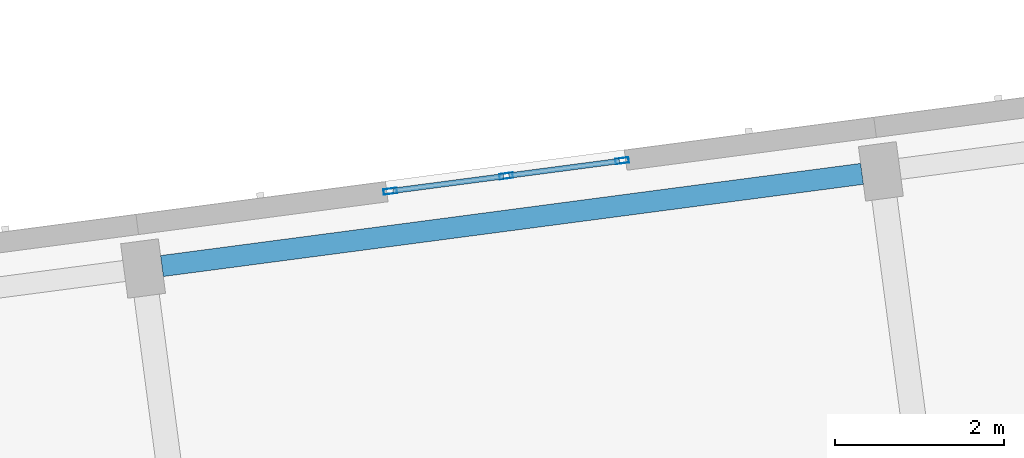
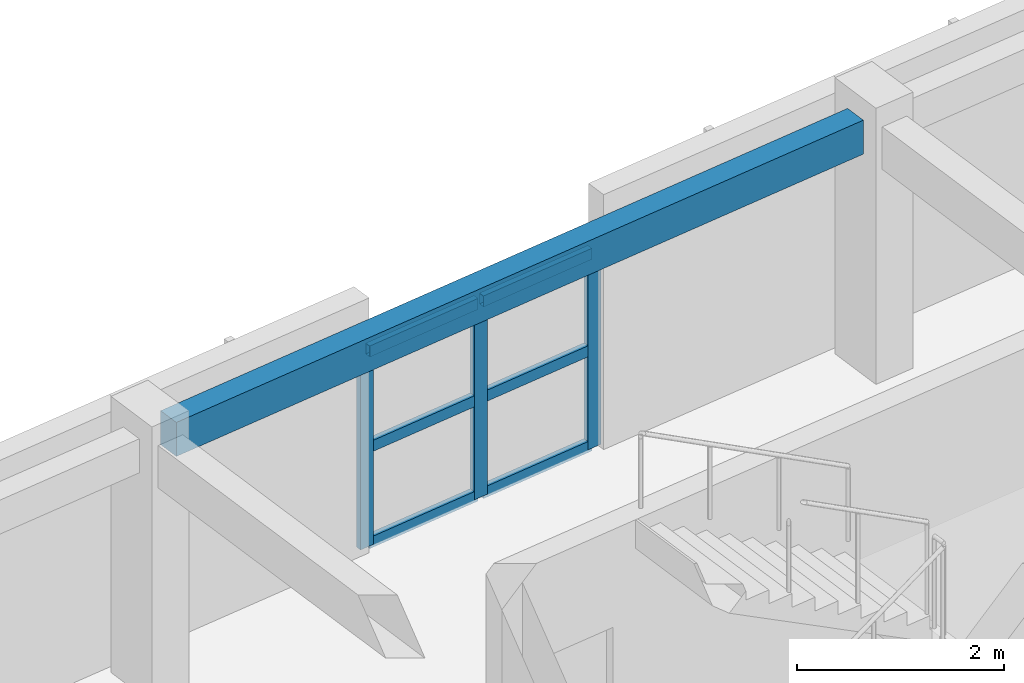
# One storey, part 2 of 16: 9 members, 1 beam, 1 element without a shape of its own.
"""IFC4 building model written with IfcOpenShell, lengths in metres."""

import ifcopenshell
import ifcopenshell.guid

model = None  # the IFC model being written
_history = None  # IfcOwnerHistory: only IFC2X3 demands one
_inside = {}  # id of a spatial element -> (the spatial element, [elements in it])
_under = {}  # id of a project, library or spatial element -> (it, [spatial elements below it])
_declared = {}  # id of a project -> (the project, [libraries it declares])
_typed = {}  # id of a type object -> (the type object, [elements of that type])
_made_of = {}  # id of a material, layer set ... -> (it, [elements and type objects made of it])


def new_model(schema):
    """Start an empty IFC model of exactly this schema.

    Asked for "IFC4X3", IfcOpenShell would pick the latest addendum, in which some entities
    have other attributes; the version numbers below select the first issue.
    IFC2X3 requires an IfcOwnerHistory on every rooted entity: one is made here for all.
    """
    global model, _history
    if schema == "IFC4X3":
        model = ifcopenshell.file(schema_version=(4, 3, 0, 0))
    else:
        model = ifcopenshell.file(schema=schema)
    _inside.clear()
    _under.clear()
    _declared.clear()
    _typed.clear()
    _made_of.clear()
    _history = None
    if model.schema == "IFC2X3":
        org = make("IfcOrganization", Name="unknown")
        user = make(
            "IfcPersonAndOrganization",
            ThePerson=make("IfcPerson", FamilyName="unknown"),
            TheOrganization=org,
        )
        app = make(
            "IfcApplication",
            ApplicationDeveloper=org,
            Version="unknown",
            ApplicationFullName="unknown",
            ApplicationIdentifier="unknown",
        )
        _history = make(
            "IfcOwnerHistory",
            OwningUser=user,
            OwningApplication=app,
            ChangeAction="ADDED",
            CreationDate=0,
        )
    return model


def make(cls, **values):
    """One entity of the class cls with the attributes given. An attribute that is None is left unset."""
    return model.create_entity(
        cls, **{name: value for name, value in values.items() if value is not None}
    )


def rooted(cls, **values):
    """An entity with a GlobalId (a new one), such as an element, a storey or a relation."""
    return make(cls, GlobalId=ifcopenshell.guid.new(), OwnerHistory=_history, **values)


def si_unit(unit_type, name, prefix=None):
    """IfcSIUnit, for example si_unit("LENGTHUNIT", "METRE", prefix="MILLI")."""
    return make("IfcSIUnit", UnitType=unit_type, Prefix=prefix, Name=name)


def assignment(units):
    """IfcUnitAssignment: the units of a project."""
    return None if units is None else make("IfcUnitAssignment", Units=units)


def point(xyz):
    """IfcCartesianPoint."""
    return None if xyz is None else make("IfcCartesianPoint", Coordinates=xyz)


def direction(xyz):
    """IfcDirection."""
    return None if xyz is None else make("IfcDirection", DirectionRatios=xyz)


def frame(location, z_axis=None, x_axis=None):
    """IfcAxis2Placement3D, a coordinate frame: its origin and axes. An axis left out is left unset."""
    return make(
        "IfcAxis2Placement3D",
        Location=point(location),
        Axis=direction(z_axis),
        RefDirection=direction(x_axis),
    )


def frame_2d(location, x_axis=None):
    """IfcAxis2Placement2D, a coordinate frame in the plane: its origin and x axis."""
    return make(
        "IfcAxis2Placement2D", Location=point(location), RefDirection=direction(x_axis)
    )


def origin():
    """The frame at (0, 0, 0) with its axes left unset."""
    return frame((0.0, 0.0, 0.0))


def origin_2d():
    """The frame at (0, 0) in the plane with its x axis left unset."""
    return frame_2d((0.0, 0.0))


def place(relative_to, where):
    """IfcLocalPlacement: puts the frame where relative to a parent placement (None: the world)."""
    return make(
        "IfcLocalPlacement", PlacementRelTo=relative_to, RelativePlacement=where
    )


def context(
    kind, dimensions, precision=None, world=None, true_north=None, identifier=None
):
    """IfcGeometricRepresentationContext, for example the 3D "Model" context."""
    return make(
        "IfcGeometricRepresentationContext",
        ContextIdentifier=identifier,
        ContextType=kind,
        CoordinateSpaceDimension=dimensions,
        Precision=precision,
        WorldCoordinateSystem=world,
        TrueNorth=true_north,
    )


def subcontext(parent, identifier, kind, view, scale=None):
    """IfcGeometricRepresentationSubContext, for example "Body" below "Model"."""
    return make(
        "IfcGeometricRepresentationSubContext",
        ContextIdentifier=identifier,
        ContextType=kind,
        ParentContext=parent,
        TargetScale=scale,
        TargetView=view,
    )


def project(units=None, contexts=None):
    """IfcProject with its units and contexts."""
    return rooted(
        "IfcProject",
        Name="project",
        RepresentationContexts=contexts,
        UnitsInContext=assignment(units),
    )


def spatial(cls, under=None, at=None, **own):
    """A site, building, storey or space (cls), placed at a placement, below another one or the project."""
    s = rooted(cls, ObjectPlacement=at, **own)
    if under is not None:
        _under.setdefault(under.id(), (under, []))[1].append(s)
    return s


def profile(cls, at=None, kind="AREA", **sizes):
    """A parametric profile (cls). Its sizes go by their IFC names, for example OverallWidth=200.0."""
    return make(cls, ProfileType=kind, Position=at, **sizes)


def rectangle(**sizes):
    """IfcRectangleProfileDef."""
    return profile("IfcRectangleProfileDef", **sizes)


def hollow_rectangle(**sizes):
    """IfcRectangleHollowProfileDef."""
    return profile("IfcRectangleHollowProfileDef", **sizes)


def extrude(swept, where, along, depth):
    """IfcExtrudedAreaSolid: the profile swept, set in the frame where, extruded along a direction by depth."""
    return make(
        "IfcExtrudedAreaSolid",
        SweptArea=swept,
        Position=where,
        ExtrudedDirection=direction(along),
        Depth=depth,
    )


def shape(context_of_items, identifier, shape_type, items):
    """IfcShapeRepresentation: the items that make up one representation, for example the "Body"."""
    return make(
        "IfcShapeRepresentation",
        ContextOfItems=context_of_items,
        RepresentationIdentifier=identifier,
        RepresentationType=shape_type,
        Items=items,
    )


def material(Name=None, Category=None):
    """IfcMaterial."""
    return make("IfcMaterial", Name=Name, Category=Category)


def material_profile(
    of_material, cross_section, Name=None, Category=None, Priority=None
):
    """IfcMaterialProfile: a cross section and its material."""
    return make(
        "IfcMaterialProfile",
        Name=Name,
        Material=of_material,
        Profile=cross_section,
        Priority=Priority,
        Category=Category,
    )


def profile_set(profiles, Name=None, composite=None):
    """IfcMaterialProfileSet."""
    return make(
        "IfcMaterialProfileSet",
        Name=Name,
        MaterialProfiles=profiles,
        CompositeProfile=composite,
    )


def made_of(thing, what):
    """Note that an element or type object is made of a material, layer set ...; save() writes the relation."""
    if what is not None:
        _made_of.setdefault(what.id(), (what, []))[1].append(thing)
    return thing


def type_object(cls, material=None, **own):
    """A type object (cls), such as IfcWallType, which elements share."""
    return made_of(rooted(cls, **own), material)


def element(
    cls,
    number,
    at=None,
    inside=None,
    cuts=None,
    type_object=None,
    material=None,
    context=None,
    identifier="Body",
    shape_type=None,
    held_by="IfcProductDefinitionShape",
    body=None,
    shapes=None,
    **own,
):
    """One element of the class cls, such as IfcWall. Its Tag is "e" and its number.

    at: its placement. inside: the storey or other place that contains it. cuts: it is an
    opening in that element (IfcRelVoidsElement). A single representation is given by context,
    identifier, shape_type and body (its items); several are given by shapes. held_by: the class
    of the entity that holds the representations. save() writes the other relations.
    """
    e = rooted(cls, Tag="e%d" % number, ObjectPlacement=at, **own)
    if body is not None:
        shapes = [shape(context, identifier, shape_type, body)]
    if shapes is not None:
        e.Representation = make(held_by, Representations=shapes)
    if inside is not None:
        _inside.setdefault(inside.id(), (inside, []))[1].append(e)
    if cuts is not None:
        rooted(
            "IfcRelVoidsElement", RelatingBuildingElement=cuts, RelatedOpeningElement=e
        )
    if type_object is not None:
        _typed.setdefault(type_object.id(), (type_object, []))[1].append(e)
    return made_of(e, material)


def aggregate(whole, parts):
    """IfcRelAggregates: a whole, such as a stair, and the parts it consists of."""
    return rooted("IfcRelAggregates", RelatingObject=whole, RelatedObjects=parts)


def save(model, path):
    """Write the relations noted so far, then the file.

    IfcRelAggregates (storeys below a building ...), IfcRelContainedInSpatialStructure (elements
    in a storey), IfcRelDefinesByType, IfcRelAssociatesMaterial and IfcRelDeclares: one each for
    every whole, place, type object, material and project.
    """
    for whole, parts in _under.values():
        aggregate(whole, parts)
    for where, things in _inside.values():
        rooted(
            "IfcRelContainedInSpatialStructure",
            RelatedElements=things,
            RelatingStructure=where,
        )
    for kind, things in _typed.values():
        rooted("IfcRelDefinesByType", RelatedObjects=things, RelatingType=kind)
    for what, things in _made_of.values():
        rooted("IfcRelAssociatesMaterial", RelatedObjects=things, RelatingMaterial=what)
    for by, libraries in _declared.values():
        rooted("IfcRelDeclares", RelatingContext=by, RelatedDefinitions=libraries)
    model.write(path)


model = new_model("IFC4")

# Units and contexts
model_context = context("Model", 3, precision=1e-05, world=origin(), true_north=direction((0.0, 1.0)))
body_context = subcontext(model_context, "Body", "Model", "MODEL_VIEW")
ifc_project = project(units=[si_unit("LENGTHUNIT", "METRE"), si_unit("AREAUNIT", "SQUARE_METRE"), si_unit("VOLUMEUNIT", "CUBIC_METRE"), si_unit("PLANEANGLEUNIT", "RADIAN"), si_unit("MASSUNIT", "GRAM", prefix="KILO")], contexts=[model_context])

# Site, building, storey
site_placement = place(None, origin())
site = spatial("IfcSite", under=ifc_project, at=site_placement, CompositionType="ELEMENT")
building_placement = place(site_placement, origin())
building = spatial("IfcBuilding", under=site, at=building_placement, Name="Kestramere Prow Commons", CompositionType="ELEMENT")
storey_placement = place(building_placement, frame((0.0, 0.0, 40.89990234375)))
storey = spatial("IfcBuildingStorey", under=building, at=storey_placement, Name="L12", CompositionType="ELEMENT", Elevation=40.89990234375)

# Curtain wall, members
ifc_material_1 = material(Name="Anodised Aluminium and Low-E Glass", Category="aluminium")
curtain_wall_type = type_object("IfcCurtainWallType", Name="CW-03 Glazed Curtain Wall 2830x2320", PredefinedType="USERDEFINED", material=ifc_material_1)
curtain_wall_placement = place(storey_placement, origin())
curtain_wall = element("IfcCurtainWall", 1, at=curtain_wall_placement, inside=storey, type_object=curtain_wall_type, Name="Block A L12 Stairwell Vertical Glazing 2", ObjectType="GLAZED CURTAIN WALL", PredefinedType="USERDEFINED")
ifc_material_2 = material(Name="Anodised Aluminium 6063-T6", Category="aluminium")
ifc_material_profile_1 = material_profile(ifc_material_2, hollow_rectangle(XDim=0.06494140625, YDim=0.159912109375, WallThickness=0.00390625, at=origin_2d()), Name="ALU-MUL 65x160")
ifc_profile_set_1 = profile_set([ifc_material_profile_1], Name="Anodised Aluminium 6063-T6")
member_type_1 = type_object("IfcMemberType", Name="CW-MUL-65x160", PredefinedType="MULLION", material=ifc_profile_set_1)
member_1_placement = place(storey_placement, frame((20.2373046875, 93.891845703125, 0.0), z_axis=(0.0, 0.0, 1.0), x_axis=(-0.13052614723, 0.991444867297, 0.0)))
member_1 = element("IfcMember", 2, at=member_1_placement, type_object=member_type_1, Name="CW-03 mullion 1", PredefinedType="MULLION", context=body_context, shape_type="SweptSolid", body=[
    extrude(hollow_rectangle(XDim=0.06494140625, YDim=0.159912109375, WallThickness=0.00390625, at=origin_2d()), origin(), (0.0, 0.0, 1.0), 2.320068359375),
])
member_2_placement = place(storey_placement, frame((21.60791015625, 94.072265625, 0.0), z_axis=(0.0, 0.0, 1.0), x_axis=(-0.13052614723, 0.991444867297, 0.0)))
member_2 = element("IfcMember", 3, at=member_2_placement, type_object=member_type_1, Name="CW-03 mullion 2", PredefinedType="MULLION", context=body_context, shape_type="SweptSolid", body=[
    extrude(hollow_rectangle(XDim=0.06494140625, YDim=0.159912109375, WallThickness=0.00390625, at=origin_2d()), origin(), (0.0, 0.0, 1.0), 2.320068359375),
])
member_3_placement = place(storey_placement, frame((22.978759765625, 94.252685546875, 0.0), z_axis=(0.0, 0.0, 1.0), x_axis=(-0.13052614723, 0.991444867297, 0.0)))
member_3 = element("IfcMember", 4, at=member_3_placement, type_object=member_type_1, Name="CW-03 mullion 3", PredefinedType="MULLION", context=body_context, shape_type="SweptSolid", body=[
    extrude(hollow_rectangle(XDim=0.06494140625, YDim=0.159912109375, WallThickness=0.00390625, at=origin_2d()), origin(), (0.0, 0.0, 1.0), 2.320068359375),
])
ifc_material_profile_2 = material_profile(ifc_material_2, hollow_rectangle(XDim=0.06494140625, YDim=0.1298828125, WallThickness=0.00390625, at=origin_2d()), Name="ALU-TRN 65x130")
ifc_profile_set_2 = profile_set([ifc_material_profile_2], Name="Anodised Aluminium 6063-T6")
member_type_2 = type_object("IfcMemberType", Name="CW-TRN-65x130", PredefinedType="USERDEFINED", material=ifc_profile_set_2)
member_4_placement = place(storey_placement, frame((20.26953125, 93.896240234375, 0.03271484375), z_axis=(0.991453033969, 0.130464100171, 0.0), x_axis=(-0.130464100171, 0.991453033969, 0.0)))
member_4 = element("IfcMember", 5, at=member_4_placement, type_object=member_type_2, Name="CW-03 transom 1.1", ObjectType="TRANSOM", PredefinedType="USERDEFINED", context=body_context, shape_type="SweptSolid", body=[
    extrude(hollow_rectangle(XDim=0.06494140625, YDim=0.1298828125, WallThickness=0.00390625, at=origin_2d()), origin(), (0.0, 0.0, 1.0), 1.3173828125),
])
member_5_placement = place(storey_placement, frame((20.26953125, 93.896240234375, 1.16015625), z_axis=(0.991453033969, 0.130464100171, 0.0), x_axis=(-0.130464100171, 0.991453033969, 0.0)))
member_5 = element("IfcMember", 6, at=member_5_placement, type_object=member_type_2, Name="CW-03 transom 1.2", ObjectType="TRANSOM", PredefinedType="USERDEFINED", context=body_context, shape_type="SweptSolid", body=[
    extrude(hollow_rectangle(XDim=0.06494140625, YDim=0.1298828125, WallThickness=0.00390625, at=origin_2d()), origin(), (0.0, 0.0, 1.0), 1.3173828125),
])
member_6_placement = place(storey_placement, frame((20.26953125, 93.896240234375, 2.28759765625), z_axis=(0.991453033969, 0.130464100171, 0.0), x_axis=(-0.130464100171, 0.991453033969, 0.0)))
member_6 = element("IfcMember", 7, at=member_6_placement, type_object=member_type_2, Name="CW-03 transom 1.3", ObjectType="TRANSOM", PredefinedType="USERDEFINED", context=body_context, shape_type="SweptSolid", body=[
    extrude(hollow_rectangle(XDim=0.06494140625, YDim=0.1298828125, WallThickness=0.00390625, at=origin_2d()), origin(), (0.0, 0.0, 1.0), 1.3173828125),
])
member_7_placement = place(storey_placement, frame((21.64013671875, 94.07666015625, 0.03271484375), z_axis=(0.991456187381, 0.130440133791, 0.0), x_axis=(-0.130440133791, 0.991456187381, 0.0)))
member_7 = element("IfcMember", 8, at=member_7_placement, type_object=member_type_2, Name="CW-03 transom 2.1", ObjectType="TRANSOM", PredefinedType="USERDEFINED", context=body_context, shape_type="SweptSolid", body=[
    extrude(hollow_rectangle(XDim=0.06494140625, YDim=0.1298828125, WallThickness=0.00390625, at=origin_2d()), origin(), (0.0, 0.0, 1.0), 1.317626953125),
])
member_8_placement = place(storey_placement, frame((21.64013671875, 94.07666015625, 1.16015625), z_axis=(0.991456187381, 0.130440133791, 0.0), x_axis=(-0.130440133791, 0.991456187381, 0.0)))
member_8 = element("IfcMember", 9, at=member_8_placement, type_object=member_type_2, Name="CW-03 transom 2.2", ObjectType="TRANSOM", PredefinedType="USERDEFINED", context=body_context, shape_type="SweptSolid", body=[
    extrude(hollow_rectangle(XDim=0.06494140625, YDim=0.1298828125, WallThickness=0.00390625, at=origin_2d()), origin(), (0.0, 0.0, 1.0), 1.317626953125),
])
member_9_placement = place(storey_placement, frame((21.64013671875, 94.07666015625, 2.28759765625), z_axis=(0.991456187381, 0.130440133791, 0.0), x_axis=(-0.130440133791, 0.991456187381, 0.0)))
member_9 = element("IfcMember", 10, at=member_9_placement, type_object=member_type_2, Name="CW-03 transom 2.3", ObjectType="TRANSOM", PredefinedType="USERDEFINED", context=body_context, shape_type="SweptSolid", body=[
    extrude(hollow_rectangle(XDim=0.06494140625, YDim=0.1298828125, WallThickness=0.00390625, at=origin_2d()), origin(), (0.0, 0.0, 1.0), 1.317626953125),
])
aggregate(curtain_wall, [member_1, member_2, member_3, member_4, member_5, member_6, member_7, member_8, member_9])

# Beam
ifc_material_3 = material(Name="Precast concrete C40/50", Category="concrete")
ifc_material_profile_3 = material_profile(ifc_material_3, rectangle(XDim=0.25, YDim=0.39990234375, at=origin_2d()), Name="PC-SP 250x400")
ifc_profile_set_3 = profile_set([ifc_material_profile_3], Name="Precast concrete C40/50")
beam_type = type_object("IfcBeamType", Name="SP-EXT-01 PC-SP 250x400", PredefinedType="SPANDREL", material=ifc_profile_set_3)
beam_placement = place(storey_placement, frame((17.537353515625, 93.0068359375, 2.800048828125), z_axis=(0.991445635283, 0.13052031366, 0.0), x_axis=(-0.13052031366, 0.991445635283, 0.0)))
element("IfcBeam", 11, at=beam_placement, inside=storey, type_object=beam_type, Name="Block A L12 Longitudinal Beam 4-2", PredefinedType="SPANDREL", context=body_context, shape_type="SweptSolid", body=[
    extrude(rectangle(XDim=0.25, YDim=0.39990234375, at=origin_2d()), origin(), (0.0, 0.0, 1.0), 8.35009765625),
])

save(model, "model.ifc")
